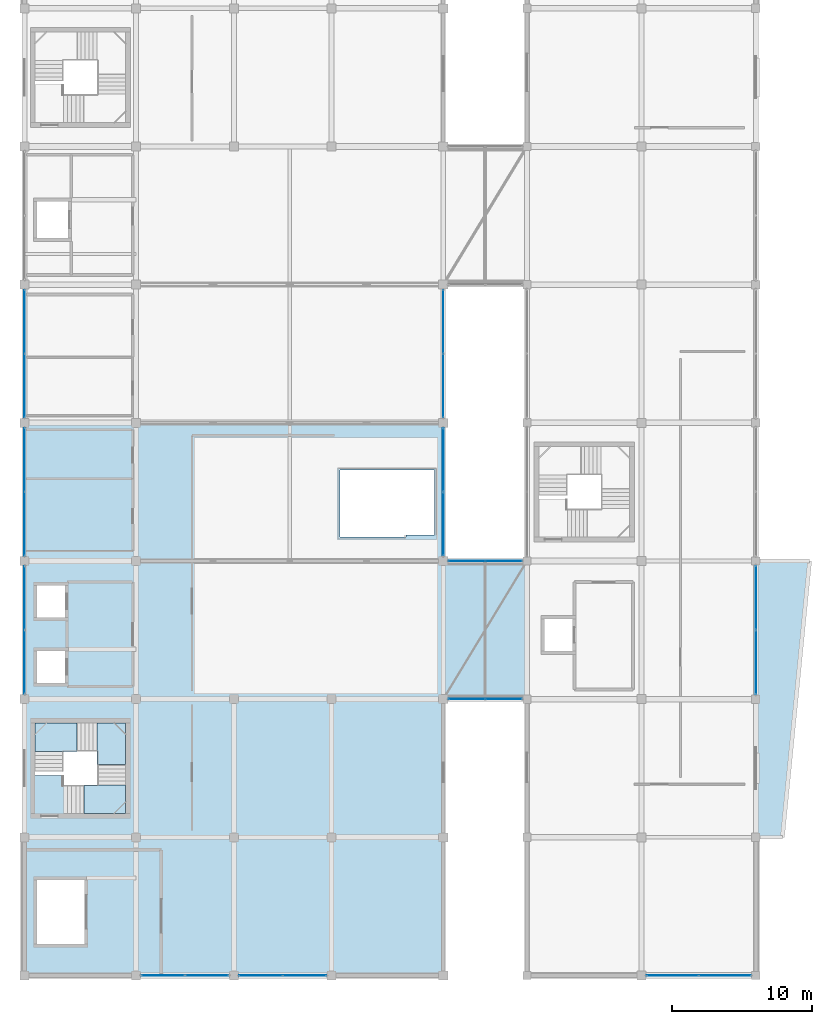
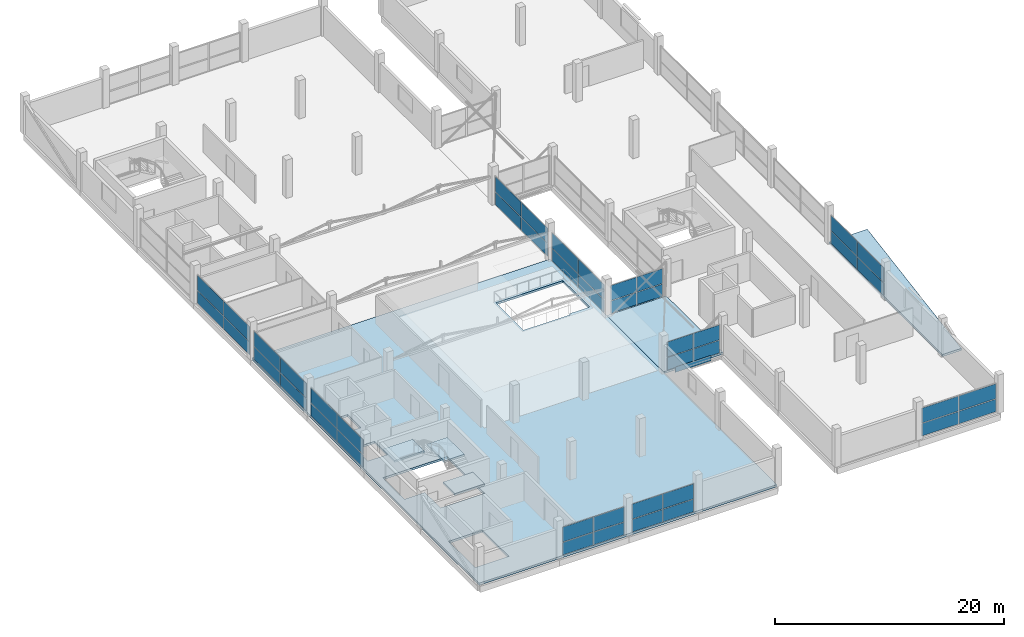
# One storey, part 52 of 66: 46 plates, 6 slabs, 12 elements without a shape of their own.
"""IFC4 building model written with IfcOpenShell, lengths in metres."""

from ifc_helpers import new_model, si_unit, direction, frame, origin, origin_2d, place, context, subcontext, project, spatial, polyline, rectangle, outline, extrude, material, layer, layer_set, type_object, element, aggregate, save


model = new_model("IFC4")

# Units and contexts
model_context = context("Model", 3, precision=1e-05, world=origin(), true_north=direction((0.0, 1.0)))
body_context = subcontext(model_context, "Body", "Model", "MODEL_VIEW")
ifc_project = project(units=[si_unit("LENGTHUNIT", "METRE"), si_unit("AREAUNIT", "SQUARE_METRE"), si_unit("VOLUMEUNIT", "CUBIC_METRE"), si_unit("PLANEANGLEUNIT", "RADIAN"), si_unit("MASSUNIT", "GRAM", prefix="KILO")], contexts=[model_context])

# Site, building, storey
site_placement = place(None, origin())
site = spatial("IfcSite", under=ifc_project, at=site_placement, CompositionType="ELEMENT")
building_placement = place(site_placement, origin())
building = spatial("IfcBuilding", under=site, at=building_placement, Name="Sillaruma Civic Art Gallery", CompositionType="ELEMENT")
storey_placement = place(building_placement, frame((0.0, 0.0, 62.219970703125)))
storey = spatial("IfcBuildingStorey", under=building, at=storey_placement, Name="L12", CompositionType="ELEMENT", Elevation=62.219970703125)

# Plates
ifc_material_1 = material(Name="Anodised Zinc-Aluminium Alloy", Category="aluminium")
ifc_layer_1 = layer(ifc_material_1, 0.044921875, Name="Anodised Zinc-Aluminium Alloy")
ifc_layer_set_1 = layer_set([ifc_layer_1], Name="Anodised Zinc-Aluminium Alloy")
plate_type_1 = type_object("IfcPlateType", Name="PLT-FAS-01", PredefinedType="USERDEFINED", material=ifc_layer_set_1)
for number, where, z_axis, x_axis, name in (
    (1, (95.0, 39.60009765625, -0.469970703125), (0.0, 0.0, 1.0), (1.0, 0.0, 0.0), "Sky-Bridge Fascia Cassette (BRG-S:L12:S)"),
    (2, (95.0, 49.5, -0.469970703125), (0.0, 0.0, 1.0), (1.0, 0.0, 0.0), "Sky-Bridge Fascia Cassette (BRG-S:L12:N)"),
):
    element("IfcPlate", number, at=place(storey_placement, frame(where, z_axis=z_axis, x_axis=x_axis)), inside=storey, type_object=plate_type_1, Name=name, ObjectType="FASCIA CASSETTE", PredefinedType="USERDEFINED", context=body_context, shape_type="SweptSolid", body=[
        extrude(rectangle(XDim=3.60009765625, YDim=0.044921875, at=origin_2d()), origin(), (0.0, 0.0, 1.0), 0.580078125),
    ])

# Curtain wall, plates
ifc_material_2 = material(Name="Thermally Broken Extruded Aluminium 6063-T6", Category="aluminium")
ifc_layer_2 = layer(ifc_material_2, 0.139892578125, Name="Thermally Broken Extruded Aluminium 6063-T6")
ifc_layer_set_2 = layer_set([ifc_layer_2], Name="Thermally Broken Extruded Aluminium 6063-T6")
curtain_wall_type_1 = type_object("IfcCurtainWallType", Name="CW-UNI-93", PredefinedType="NOTDEFINED", material=ifc_layer_set_2)
curtain_wall_1_placement = place(storey_placement, origin())
curtain_wall_1 = element("IfcCurtainWall", 3, at=curtain_wall_1_placement, inside=storey, type_object=curtain_wall_type_1, Name="Unitised Curtain Wall CW-93 (CW-L12-WBW-5)", PredefinedType="NOTDEFINED")
ifc_material_3 = material(Name="Low-E UV-Filtered Laminated Insulating Glass", Category="glass")
ifc_layer_3 = layer(ifc_material_3, 0.028076171875, Name="Low-E UV-Filtered Laminated Insulating Glass")
ifc_layer_set_3 = layer_set([ifc_layer_3], Name="Low-E UV-Filtered Laminated Insulating Glass")
plate_type_2 = type_object("IfcPlateType", Name="PNL-GLZ-28", PredefinedType="CURTAIN_PANEL", material=ifc_layer_set_3)
plate_1_placement = place(storey_placement, frame((62.0, 62.052490234375, 0.06005859375), z_axis=(0.0, 0.0, 1.0), x_axis=(0.0, 1.0, 0.0)))
plate_1 = element("IfcPlate", 4, at=plate_1_placement, type_object=plate_type_2, Name="CW-93 panel 1.1", PredefinedType="CURTAIN_PANEL", context=body_context, shape_type="SweptSolid", body=[
    extrude(rectangle(XDim=4.534912109375, YDim=0.028076171875, at=origin_2d()), origin(), (0.0, 0.0, 1.0), 1.3359375),
])
plate_2_placement = place(storey_placement, frame((62.0, 62.052490234375, 1.4560546875), z_axis=(0.0, 0.0, 1.0), x_axis=(0.0, 1.0, 0.0)))
plate_2 = element("IfcPlate", 5, at=plate_2_placement, type_object=plate_type_2, Name="CW-93 panel 1.2", PredefinedType="CURTAIN_PANEL", context=body_context, shape_type="SweptSolid", body=[
    extrude(rectangle(XDim=4.534912109375, YDim=0.028076171875, at=origin_2d()), origin(), (0.0, 0.0, 1.0), 1.583984375),
])
plate_3_placement = place(storey_placement, frame((62.0, 66.6474609375, 0.06005859375), z_axis=(0.0, 0.0, 1.0), x_axis=(0.0, 1.0, 0.0)))
plate_3 = element("IfcPlate", 6, at=plate_3_placement, type_object=plate_type_2, Name="CW-93 panel 2.1", PredefinedType="CURTAIN_PANEL", context=body_context, shape_type="SweptSolid", body=[
    extrude(rectangle(XDim=4.534912109375, YDim=0.028076171875, at=origin_2d()), origin(), (0.0, 0.0, 1.0), 1.3359375),
])
plate_4_placement = place(storey_placement, frame((62.0, 66.6474609375, 1.4560546875), z_axis=(0.0, 0.0, 1.0), x_axis=(0.0, 1.0, 0.0)))
plate_4 = element("IfcPlate", 7, at=plate_4_placement, type_object=plate_type_2, Name="CW-93 panel 2.2", PredefinedType="CURTAIN_PANEL", context=body_context, shape_type="SweptSolid", body=[
    extrude(rectangle(XDim=4.534912109375, YDim=0.028076171875, at=origin_2d()), origin(), (0.0, 0.0, 1.0), 1.583984375),
])
aggregate(curtain_wall_1, [plate_1, plate_2, plate_3, plate_4])

ifc_layer_4 = layer(ifc_material_2, 0.159912109375, Name="Thermally Broken Extruded Aluminium 6063-T6")
ifc_layer_set_4 = layer_set([ifc_layer_4], Name="Thermally Broken Extruded Aluminium 6063-T6")
curtain_wall_type_2 = type_object("IfcCurtainWallType", Name="CW-UNI-94", PredefinedType="NOTDEFINED", material=ifc_layer_set_4)
curtain_wall_2_placement = place(storey_placement, origin())
curtain_wall_2 = element("IfcCurtainWall", 8, at=curtain_wall_2_placement, inside=storey, type_object=curtain_wall_type_2, Name="Unitised Curtain Wall CW-94 (CW-L12-WBE-5)", PredefinedType="NOTDEFINED")
ifc_layer_5 = layer(ifc_material_3, 0.030029296875, Name="Low-E UV-Filtered Laminated Insulating Glass")
ifc_layer_set_5 = layer_set([ifc_layer_5], Name="Low-E UV-Filtered Laminated Insulating Glass")
plate_type_3 = type_object("IfcPlateType", Name="PNL-GLZ-30", PredefinedType="CURTAIN_PANEL", material=ifc_layer_set_5)
plate_5_placement = place(storey_placement, frame((92.0, 62.0537109375, 0.06005859375), z_axis=(0.0, 0.0, 1.0), x_axis=(0.0, 1.0, 0.0)))
plate_5 = element("IfcPlate", 9, at=plate_5_placement, type_object=plate_type_3, Name="CW-94 panel 1.1", PredefinedType="CURTAIN_PANEL", context=body_context, shape_type="SweptSolid", body=[
    extrude(rectangle(XDim=4.527587890625, YDim=0.030029296875, at=origin_2d()), origin(), (0.0, 0.0, 1.0), 1.3359375),
])
plate_6_placement = place(storey_placement, frame((92.0, 62.0537109375, 1.4560546875), z_axis=(0.0, 0.0, 1.0), x_axis=(0.0, 1.0, 0.0)))
plate_6 = element("IfcPlate", 10, at=plate_6_placement, type_object=plate_type_3, Name="CW-94 panel 1.2", PredefinedType="CURTAIN_PANEL", context=body_context, shape_type="SweptSolid", body=[
    extrude(rectangle(XDim=4.527587890625, YDim=0.030029296875, at=origin_2d()), origin(), (0.0, 0.0, 1.0), 1.583984375),
])
plate_7_placement = place(storey_placement, frame((92.0, 66.646240234375, 0.06005859375), z_axis=(0.0, 0.0, 1.0), x_axis=(0.0, 1.0, 0.0)))
plate_7 = element("IfcPlate", 11, at=plate_7_placement, type_object=plate_type_3, Name="CW-94 panel 2.1", PredefinedType="CURTAIN_PANEL", context=body_context, shape_type="SweptSolid", body=[
    extrude(rectangle(XDim=4.527587890625, YDim=0.030029296875, at=origin_2d()), origin(), (0.0, 0.0, 1.0), 1.3359375),
])
plate_8_placement = place(storey_placement, frame((92.0, 66.646240234375, 1.4560546875), z_axis=(0.0, 0.0, 1.0), x_axis=(0.0, 1.0, 0.0)))
plate_8 = element("IfcPlate", 12, at=plate_8_placement, type_object=plate_type_3, Name="CW-94 panel 2.2", PredefinedType="CURTAIN_PANEL", context=body_context, shape_type="SweptSolid", body=[
    extrude(rectangle(XDim=4.527587890625, YDim=0.030029296875, at=origin_2d()), origin(), (0.0, 0.0, 1.0), 1.583984375),
])
aggregate(curtain_wall_2, [plate_5, plate_6, plate_7, plate_8])

ifc_layer_6 = layer(ifc_material_2, 0.159912109375, Name="Thermally Broken Extruded Aluminium 6063-T6")
ifc_layer_set_6 = layer_set([ifc_layer_6], Name="Thermally Broken Extruded Aluminium 6063-T6")
curtain_wall_type_3 = type_object("IfcCurtainWallType", Name="CW-UNI-97", PredefinedType="NOTDEFINED", material=ifc_layer_set_6)
curtain_wall_3_placement = place(storey_placement, origin())
curtain_wall_3 = element("IfcCurtainWall", 13, at=curtain_wall_3_placement, inside=storey, type_object=curtain_wall_type_3, Name="Unitised Curtain Wall CW-97 (CW-L12-EBE-3)", PredefinedType="NOTDEFINED")
plate_9_placement = place(storey_placement, frame((114.39990234375, 42.2412109375, 0.06005859375), z_axis=(0.0, 0.0, 1.0), x_axis=(0.0, 1.0, 0.0)))
plate_9 = element("IfcPlate", 14, at=plate_9_placement, type_object=plate_type_3, Name="CW-97 panel 1.1", PredefinedType="CURTAIN_PANEL", context=body_context, shape_type="SweptSolid", body=[
    extrude(rectangle(XDim=4.552490234375, YDim=0.030029296875, at=origin_2d()), origin(), (0.0, 0.0, 1.0), 1.3359375),
])
plate_10_placement = place(storey_placement, frame((114.39990234375, 42.2412109375, 1.4560546875), z_axis=(0.0, 0.0, 1.0), x_axis=(0.0, 1.0, 0.0)))
plate_10 = element("IfcPlate", 15, at=plate_10_placement, type_object=plate_type_3, Name="CW-97 panel 1.2", PredefinedType="CURTAIN_PANEL", context=body_context, shape_type="SweptSolid", body=[
    extrude(rectangle(XDim=4.552490234375, YDim=0.030029296875, at=origin_2d()), origin(), (0.0, 0.0, 1.0), 1.583984375),
])
plate_11_placement = place(storey_placement, frame((114.39990234375, 46.858642578125, 0.06005859375), z_axis=(0.0, 0.0, 1.0), x_axis=(0.0, 1.0, 0.0)))
plate_11 = element("IfcPlate", 16, at=plate_11_placement, type_object=plate_type_3, Name="CW-97 panel 2.1", PredefinedType="CURTAIN_PANEL", context=body_context, shape_type="SweptSolid", body=[
    extrude(rectangle(XDim=4.552490234375, YDim=0.030029296875, at=origin_2d()), origin(), (0.0, 0.0, 1.0), 1.3359375),
])
plate_12_placement = place(storey_placement, frame((114.39990234375, 46.858642578125, 1.4560546875), z_axis=(0.0, 0.0, 1.0), x_axis=(0.0, 1.0, 0.0)))
plate_12 = element("IfcPlate", 17, at=plate_12_placement, type_object=plate_type_3, Name="CW-97 panel 2.2", PredefinedType="CURTAIN_PANEL", context=body_context, shape_type="SweptSolid", body=[
    extrude(rectangle(XDim=4.552490234375, YDim=0.030029296875, at=origin_2d()), origin(), (0.0, 0.0, 1.0), 1.583984375),
])
aggregate(curtain_wall_3, [plate_9, plate_10, plate_11, plate_12])

# Curtain wall, plate
ifc_layer_7 = layer(ifc_material_2, 0.159912109375, Name="Thermally Broken Extruded Aluminium 6063-T6")
ifc_layer_set_7 = layer_set([ifc_layer_7], Name="Thermally Broken Extruded Aluminium 6063-T6")
curtain_wall_type_4 = type_object("IfcCurtainWallType", Name="CW-UNI-104", PredefinedType="NOTDEFINED", material=ifc_layer_set_7)
curtain_wall_4_placement = place(storey_placement, origin())
curtain_wall_4 = element("IfcCurtainWall", 18, at=curtain_wall_4_placement, inside=storey, type_object=curtain_wall_type_4, Name="Unitised Curtain Wall CW-104 (CW-BRG-S-L12-S)", PredefinedType="NOTDEFINED")
plate_13_placement = place(storey_placement, frame((96.340087890625, 39.60009765625, 0.06005859375), z_axis=(0.0, 0.0, 1.0), x_axis=(1.0, 0.0, 0.0)))
plate_13 = element("IfcPlate", 19, at=plate_13_placement, type_object=plate_type_3, Name="CW-104 panel 2.1", PredefinedType="CURTAIN_PANEL", context=body_context, shape_type="SweptSolid", body=[
    extrude(rectangle(XDim=2.590087890625, YDim=0.030029296875, at=origin_2d()), origin(), (0.0, 0.0, 1.0), 1.3359375),
])

curtain_wall_5_placement = place(storey_placement, origin())
curtain_wall_5 = element("IfcCurtainWall", 20, at=curtain_wall_5_placement, inside=storey, type_object=curtain_wall_type_4, Name="Unitised Curtain Wall CW-104 (CW-BRG-S-L12-N)", PredefinedType="NOTDEFINED")
plate_14_placement = place(storey_placement, frame((96.340087890625, 49.5, 0.06005859375), z_axis=(0.0, 0.0, 1.0), x_axis=(1.0, 0.0, 0.0)))
plate_14 = element("IfcPlate", 21, at=plate_14_placement, type_object=plate_type_3, Name="CW-104 panel 2.1", PredefinedType="CURTAIN_PANEL", context=body_context, shape_type="SweptSolid", body=[
    extrude(rectangle(XDim=2.590087890625, YDim=0.030029296875, at=origin_2d()), origin(), (0.0, 0.0, 1.0), 1.3359375),
])

# Curtain wall, plates
ifc_layer_8 = layer(ifc_material_2, 0.159912109375, Name="Thermally Broken Extruded Aluminium 6063-T6")
ifc_layer_set_8 = layer_set([ifc_layer_8], Name="Thermally Broken Extruded Aluminium 6063-T6")
curtain_wall_type_5 = type_object("IfcCurtainWallType", Name="CW-UNI-91", PredefinedType="NOTDEFINED", material=ifc_layer_set_8)
curtain_wall_6_placement = place(storey_placement, origin())
curtain_wall_6 = element("IfcCurtainWall", 22, at=curtain_wall_6_placement, inside=storey, type_object=curtain_wall_type_5, Name="Unitised Curtain Wall CW-91 (CW-L12-WBW-4)", PredefinedType="NOTDEFINED")
ifc_layer_9 = layer(ifc_material_3, 0.031982421875, Name="Low-E UV-Filtered Laminated Insulating Glass")
ifc_layer_set_9 = layer_set([ifc_layer_9], Name="Low-E UV-Filtered Laminated Insulating Glass")
plate_type_4 = type_object("IfcPlateType", Name="PNL-GLZ-32", PredefinedType="CURTAIN_PANEL", material=ifc_layer_set_9)
plate_15_placement = place(storey_placement, frame((62.0, 52.15380859375, 0.06494140625), z_axis=(0.0, 0.0, 1.0), x_axis=(0.0, 1.0, 0.0)))
plate_15 = element("IfcPlate", 23, at=plate_15_placement, type_object=plate_type_4, Name="CW-91 panel 1.1", PredefinedType="CURTAIN_PANEL", context=body_context, shape_type="SweptSolid", body=[
    extrude(rectangle(XDim=4.527587890625, YDim=0.031982421875, at=origin_2d()), origin(), (0.0, 0.0, 1.0), 1.32861328125),
])
plate_16_placement = place(storey_placement, frame((62.0, 52.15380859375, 1.45849609375), z_axis=(0.0, 0.0, 1.0), x_axis=(0.0, 1.0, 0.0)))
plate_16 = element("IfcPlate", 24, at=plate_16_placement, type_object=plate_type_4, Name="CW-91 panel 1.2", PredefinedType="CURTAIN_PANEL", context=body_context, shape_type="SweptSolid", body=[
    extrude(rectangle(XDim=4.527587890625, YDim=0.031982421875, at=origin_2d()), origin(), (0.0, 0.0, 1.0), 1.576416015625),
])
plate_17_placement = place(storey_placement, frame((62.0, 56.746337890625, 0.06494140625), z_axis=(0.0, 0.0, 1.0), x_axis=(0.0, 1.0, 0.0)))
plate_17 = element("IfcPlate", 25, at=plate_17_placement, type_object=plate_type_4, Name="CW-91 panel 2.1", PredefinedType="CURTAIN_PANEL", context=body_context, shape_type="SweptSolid", body=[
    extrude(rectangle(XDim=4.527587890625, YDim=0.031982421875, at=origin_2d()), origin(), (0.0, 0.0, 1.0), 1.32861328125),
])
plate_18_placement = place(storey_placement, frame((62.0, 56.746337890625, 1.45849609375), z_axis=(0.0, 0.0, 1.0), x_axis=(0.0, 1.0, 0.0)))
plate_18 = element("IfcPlate", 26, at=plate_18_placement, type_object=plate_type_4, Name="CW-91 panel 2.2", PredefinedType="CURTAIN_PANEL", context=body_context, shape_type="SweptSolid", body=[
    extrude(rectangle(XDim=4.527587890625, YDim=0.031982421875, at=origin_2d()), origin(), (0.0, 0.0, 1.0), 1.576416015625),
])
aggregate(curtain_wall_6, [plate_15, plate_16, plate_17, plate_18])

ifc_layer_10 = layer(ifc_material_2, 0.159912109375, Name="Thermally Broken Extruded Aluminium 6063-T6")
ifc_layer_set_10 = layer_set([ifc_layer_10], Name="Thermally Broken Extruded Aluminium 6063-T6")
curtain_wall_type_6 = type_object("IfcCurtainWallType", Name="CW-UNI-96", PredefinedType="NOTDEFINED", material=ifc_layer_set_10)
curtain_wall_7_placement = place(storey_placement, origin())
curtain_wall_7 = element("IfcCurtainWall", 27, at=curtain_wall_7_placement, inside=storey, type_object=curtain_wall_type_6, Name="Unitised Curtain Wall CW-96 (CW-L12-WBS-3)", PredefinedType="NOTDEFINED")
plate_19_placement = place(storey_placement, frame((78.9287109375, 19.800048828125, 0.06494140625), z_axis=(0.0, 0.0, 1.0), x_axis=(1.0, 0.0, 0.0)))
plate_19 = element("IfcPlate", 28, at=plate_19_placement, type_object=plate_type_4, Name="CW-96 panel 1.1", PredefinedType="CURTAIN_PANEL", context=body_context, shape_type="SweptSolid", body=[
    extrude(rectangle(XDim=3.077392578125, YDim=0.031982421875, at=origin_2d()), origin(), (0.0, 0.0, 1.0), 1.32861328125),
])
plate_20_placement = place(storey_placement, frame((78.9287109375, 19.800048828125, 1.45849609375), z_axis=(0.0, 0.0, 1.0), x_axis=(1.0, 0.0, 0.0)))
plate_20 = element("IfcPlate", 29, at=plate_20_placement, type_object=plate_type_4, Name="CW-96 panel 1.2", PredefinedType="CURTAIN_PANEL", context=body_context, shape_type="SweptSolid", body=[
    extrude(rectangle(XDim=3.077392578125, YDim=0.031982421875, at=origin_2d()), origin(), (0.0, 0.0, 1.0), 1.576416015625),
])
plate_21_placement = place(storey_placement, frame((82.0712890625, 19.800048828125, 0.06494140625), z_axis=(0.0, 0.0, 1.0), x_axis=(1.0, 0.0, 0.0)))
plate_21 = element("IfcPlate", 30, at=plate_21_placement, type_object=plate_type_4, Name="CW-96 panel 2.1", PredefinedType="CURTAIN_PANEL", context=body_context, shape_type="SweptSolid", body=[
    extrude(rectangle(XDim=3.077392578125, YDim=0.031982421875, at=origin_2d()), origin(), (0.0, 0.0, 1.0), 1.32861328125),
])
plate_22_placement = place(storey_placement, frame((82.0712890625, 19.800048828125, 1.45849609375), z_axis=(0.0, 0.0, 1.0), x_axis=(1.0, 0.0, 0.0)))
plate_22 = element("IfcPlate", 31, at=plate_22_placement, type_object=plate_type_4, Name="CW-96 panel 2.2", PredefinedType="CURTAIN_PANEL", context=body_context, shape_type="SweptSolid", body=[
    extrude(rectangle(XDim=3.077392578125, YDim=0.031982421875, at=origin_2d()), origin(), (0.0, 0.0, 1.0), 1.576416015625),
])
aggregate(curtain_wall_7, [plate_19, plate_20, plate_21, plate_22])

ifc_layer_11 = layer(ifc_material_2, 0.159912109375, Name="Thermally Broken Extruded Aluminium 6063-T6")
ifc_layer_set_11 = layer_set([ifc_layer_11], Name="Thermally Broken Extruded Aluminium 6063-T6")
curtain_wall_type_7 = type_object("IfcCurtainWallType", Name="CW-UNI-103", PredefinedType="NOTDEFINED", material=ifc_layer_set_11)
curtain_wall_8_placement = place(storey_placement, origin())
curtain_wall_8 = element("IfcCurtainWall", 32, at=curtain_wall_8_placement, inside=storey, type_object=curtain_wall_type_7, Name="Unitised Curtain Wall CW-103 (CW-L12-EBS-2)", PredefinedType="NOTDEFINED")
plate_23_placement = place(storey_placement, frame((108.43505859375, 19.800048828125, 0.06494140625), z_axis=(0.0, 0.0, 1.0), x_axis=(1.0, 0.0, 0.0)))
plate_23 = element("IfcPlate", 33, at=plate_23_placement, type_object=plate_type_4, Name="CW-103 panel 1.1", PredefinedType="CURTAIN_PANEL", context=body_context, shape_type="SweptSolid", body=[
    extrude(rectangle(XDim=3.68994140625, YDim=0.031982421875, at=origin_2d()), origin(), (0.0, 0.0, 1.0), 1.32861328125),
])
plate_24_placement = place(storey_placement, frame((108.43505859375, 19.800048828125, 1.45849609375), z_axis=(0.0, 0.0, 1.0), x_axis=(1.0, 0.0, 0.0)))
plate_24 = element("IfcPlate", 34, at=plate_24_placement, type_object=plate_type_4, Name="CW-103 panel 1.2", PredefinedType="CURTAIN_PANEL", context=body_context, shape_type="SweptSolid", body=[
    extrude(rectangle(XDim=3.68994140625, YDim=0.031982421875, at=origin_2d()), origin(), (0.0, 0.0, 1.0), 1.576416015625),
])
plate_25_placement = place(storey_placement, frame((112.18994140625, 19.800048828125, 0.06494140625), z_axis=(0.0, 0.0, 1.0), x_axis=(1.0, 0.0, 0.0)))
plate_25 = element("IfcPlate", 35, at=plate_25_placement, type_object=plate_type_4, Name="CW-103 panel 2.1", PredefinedType="CURTAIN_PANEL", context=body_context, shape_type="SweptSolid", body=[
    extrude(rectangle(XDim=3.68994140625, YDim=0.031982421875, at=origin_2d()), origin(), (0.0, 0.0, 1.0), 1.32861328125),
])
plate_26_placement = place(storey_placement, frame((112.18994140625, 19.800048828125, 1.45849609375), z_axis=(0.0, 0.0, 1.0), x_axis=(1.0, 0.0, 0.0)))
plate_26 = element("IfcPlate", 36, at=plate_26_placement, type_object=plate_type_4, Name="CW-103 panel 2.2", PredefinedType="CURTAIN_PANEL", context=body_context, shape_type="SweptSolid", body=[
    extrude(rectangle(XDim=3.68994140625, YDim=0.031982421875, at=origin_2d()), origin(), (0.0, 0.0, 1.0), 1.576416015625),
])
aggregate(curtain_wall_8, [plate_23, plate_24, plate_25, plate_26])

ifc_layer_12 = layer(ifc_material_2, 0.179931640625, Name="Thermally Broken Extruded Aluminium 6063-T6")
ifc_layer_set_12 = layer_set([ifc_layer_12], Name="Thermally Broken Extruded Aluminium 6063-T6")
curtain_wall_type_8 = type_object("IfcCurtainWallType", Name="CW-UNI-90", PredefinedType="NOTDEFINED", material=ifc_layer_set_12)
curtain_wall_9_placement = place(storey_placement, origin())
curtain_wall_9 = element("IfcCurtainWall", 37, at=curtain_wall_9_placement, inside=storey, type_object=curtain_wall_type_8, Name="Unitised Curtain Wall CW-90 (CW-L12-WBW-3)", PredefinedType="NOTDEFINED")
ifc_layer_13 = layer(ifc_material_3, 0.035888671875, Name="Low-E UV-Filtered Laminated Insulating Glass")
ifc_layer_set_13 = layer_set([ifc_layer_13], Name="Low-E UV-Filtered Laminated Insulating Glass")
plate_type_5 = type_object("IfcPlateType", Name="PNL-GLZ-36", PredefinedType="CURTAIN_PANEL", material=ifc_layer_set_13)
plate_27_placement = place(storey_placement, frame((62.0, 42.2548828125, 0.06982421875), z_axis=(0.0, 0.0, 1.0), x_axis=(0.0, 1.0, 0.0)))
plate_27 = element("IfcPlate", 38, at=plate_27_placement, type_object=plate_type_5, Name="CW-90 panel 1.1", PredefinedType="CURTAIN_PANEL", context=body_context, shape_type="SweptSolid", body=[
    extrude(rectangle(XDim=4.52001953125, YDim=0.035888671875, at=origin_2d()), origin(), (0.0, 0.0, 1.0), 1.321044921875),
])
plate_28_placement = place(storey_placement, frame((62.0, 42.2548828125, 1.4609375), z_axis=(0.0, 0.0, 1.0), x_axis=(0.0, 1.0, 0.0)))
plate_28 = element("IfcPlate", 39, at=plate_28_placement, type_object=plate_type_5, Name="CW-90 panel 1.2", PredefinedType="CURTAIN_PANEL", context=body_context, shape_type="SweptSolid", body=[
    extrude(rectangle(XDim=4.52001953125, YDim=0.035888671875, at=origin_2d()), origin(), (0.0, 0.0, 1.0), 1.569091796875),
])
plate_29_placement = place(storey_placement, frame((62.0, 46.844970703125, 0.06982421875), z_axis=(0.0, 0.0, 1.0), x_axis=(0.0, 1.0, 0.0)))
plate_29 = element("IfcPlate", 40, at=plate_29_placement, type_object=plate_type_5, Name="CW-90 panel 2.1", PredefinedType="CURTAIN_PANEL", context=body_context, shape_type="SweptSolid", body=[
    extrude(rectangle(XDim=4.52001953125, YDim=0.035888671875, at=origin_2d()), origin(), (0.0, 0.0, 1.0), 1.321044921875),
])
plate_30_placement = place(storey_placement, frame((62.0, 46.844970703125, 1.4609375), z_axis=(0.0, 0.0, 1.0), x_axis=(0.0, 1.0, 0.0)))
plate_30 = element("IfcPlate", 41, at=plate_30_placement, type_object=plate_type_5, Name="CW-90 panel 2.2", PredefinedType="CURTAIN_PANEL", context=body_context, shape_type="SweptSolid", body=[
    extrude(rectangle(XDim=4.52001953125, YDim=0.035888671875, at=origin_2d()), origin(), (0.0, 0.0, 1.0), 1.569091796875),
])
aggregate(curtain_wall_9, [plate_27, plate_28, plate_29, plate_30])

ifc_layer_14 = layer(ifc_material_2, 0.179931640625, Name="Thermally Broken Extruded Aluminium 6063-T6")
ifc_layer_set_14 = layer_set([ifc_layer_14], Name="Thermally Broken Extruded Aluminium 6063-T6")
curtain_wall_type_9 = type_object("IfcCurtainWallType", Name="CW-UNI-95", PredefinedType="NOTDEFINED", material=ifc_layer_set_14)
curtain_wall_10_placement = place(storey_placement, origin())
curtain_wall_10 = element("IfcCurtainWall", 42, at=curtain_wall_10_placement, inside=storey, type_object=curtain_wall_type_9, Name="Unitised Curtain Wall CW-95 (CW-L12-WBS-2)", PredefinedType="NOTDEFINED")
plate_31_placement = place(storey_placement, frame((71.929931640625, 19.800048828125, 0.06982421875), z_axis=(0.0, 0.0, 1.0), x_axis=(1.0, 0.0, 0.0)))
plate_31 = element("IfcPlate", 43, at=plate_31_placement, type_object=plate_type_5, Name="CW-95 panel 1.1", PredefinedType="CURTAIN_PANEL", context=body_context, shape_type="SweptSolid", body=[
    extrude(rectangle(XDim=3.070068359375, YDim=0.035888671875, at=origin_2d()), origin(), (0.0, 0.0, 1.0), 1.321044921875),
])
plate_32_placement = place(storey_placement, frame((71.929931640625, 19.800048828125, 1.4609375), z_axis=(0.0, 0.0, 1.0), x_axis=(1.0, 0.0, 0.0)))
plate_32 = element("IfcPlate", 44, at=plate_32_placement, type_object=plate_type_5, Name="CW-95 panel 1.2", PredefinedType="CURTAIN_PANEL", context=body_context, shape_type="SweptSolid", body=[
    extrude(rectangle(XDim=3.070068359375, YDim=0.035888671875, at=origin_2d()), origin(), (0.0, 0.0, 1.0), 1.569091796875),
])
plate_33_placement = place(storey_placement, frame((75.070068359375, 19.800048828125, 0.06982421875), z_axis=(0.0, 0.0, 1.0), x_axis=(1.0, 0.0, 0.0)))
plate_33 = element("IfcPlate", 45, at=plate_33_placement, type_object=plate_type_5, Name="CW-95 panel 2.1", PredefinedType="CURTAIN_PANEL", context=body_context, shape_type="SweptSolid", body=[
    extrude(rectangle(XDim=3.070068359375, YDim=0.035888671875, at=origin_2d()), origin(), (0.0, 0.0, 1.0), 1.321044921875),
])
plate_34_placement = place(storey_placement, frame((75.070068359375, 19.800048828125, 1.4609375), z_axis=(0.0, 0.0, 1.0), x_axis=(1.0, 0.0, 0.0)))
plate_34 = element("IfcPlate", 46, at=plate_34_placement, type_object=plate_type_5, Name="CW-95 panel 2.2", PredefinedType="CURTAIN_PANEL", context=body_context, shape_type="SweptSolid", body=[
    extrude(rectangle(XDim=3.070068359375, YDim=0.035888671875, at=origin_2d()), origin(), (0.0, 0.0, 1.0), 1.569091796875),
])
aggregate(curtain_wall_10, [plate_31, plate_32, plate_33, plate_34])

ifc_layer_15 = layer(ifc_material_2, 0.179931640625, Name="Thermally Broken Extruded Aluminium 6063-T6")
ifc_layer_set_15 = layer_set([ifc_layer_15], Name="Thermally Broken Extruded Aluminium 6063-T6")
curtain_wall_type_10 = type_object("IfcCurtainWallType", Name="CW-UNI-92", PredefinedType="NOTDEFINED", material=ifc_layer_set_15)
curtain_wall_11_placement = place(storey_placement, origin())
curtain_wall_11 = element("IfcCurtainWall", 47, at=curtain_wall_11_placement, inside=storey, type_object=curtain_wall_type_10, Name="Unitised Curtain Wall CW-92 (CW-L12-WBE-4)", PredefinedType="NOTDEFINED")
ifc_layer_16 = layer(ifc_material_3, 0.0400390625, Name="Low-E UV-Filtered Laminated Insulating Glass")
ifc_layer_set_16 = layer_set([ifc_layer_16], Name="Low-E UV-Filtered Laminated Insulating Glass")
plate_type_6 = type_object("IfcPlateType", Name="PNL-GLZ-40", PredefinedType="CURTAIN_PANEL", material=ifc_layer_set_16)
plate_35_placement = place(storey_placement, frame((92.0, 52.155029296875, 0.06494140625), z_axis=(0.0, 0.0, 1.0), x_axis=(0.0, 1.0, 0.0)))
plate_35 = element("IfcPlate", 48, at=plate_35_placement, type_object=plate_type_6, Name="CW-92 panel 1.1", PredefinedType="CURTAIN_PANEL", context=body_context, shape_type="SweptSolid", body=[
    extrude(rectangle(XDim=4.52001953125, YDim=0.0400390625, at=origin_2d()), origin(), (0.0, 0.0, 1.0), 1.32861328125),
])
plate_36_placement = place(storey_placement, frame((92.0, 52.155029296875, 1.45849609375), z_axis=(0.0, 0.0, 1.0), x_axis=(0.0, 1.0, 0.0)))
plate_36 = element("IfcPlate", 49, at=plate_36_placement, type_object=plate_type_6, Name="CW-92 panel 1.2", PredefinedType="CURTAIN_PANEL", context=body_context, shape_type="SweptSolid", body=[
    extrude(rectangle(XDim=4.52001953125, YDim=0.0400390625, at=origin_2d()), origin(), (0.0, 0.0, 1.0), 1.576416015625),
])
plate_37_placement = place(storey_placement, frame((92.0, 56.7451171875, 0.06494140625), z_axis=(0.0, 0.0, 1.0), x_axis=(0.0, 1.0, 0.0)))
plate_37 = element("IfcPlate", 50, at=plate_37_placement, type_object=plate_type_6, Name="CW-92 panel 2.1", PredefinedType="CURTAIN_PANEL", context=body_context, shape_type="SweptSolid", body=[
    extrude(rectangle(XDim=4.52001953125, YDim=0.0400390625, at=origin_2d()), origin(), (0.0, 0.0, 1.0), 1.32861328125),
])
plate_38_placement = place(storey_placement, frame((92.0, 56.7451171875, 1.45849609375), z_axis=(0.0, 0.0, 1.0), x_axis=(0.0, 1.0, 0.0)))
plate_38 = element("IfcPlate", 51, at=plate_38_placement, type_object=plate_type_6, Name="CW-92 panel 2.2", PredefinedType="CURTAIN_PANEL", context=body_context, shape_type="SweptSolid", body=[
    extrude(rectangle(XDim=4.52001953125, YDim=0.0400390625, at=origin_2d()), origin(), (0.0, 0.0, 1.0), 1.576416015625),
])
aggregate(curtain_wall_11, [plate_35, plate_36, plate_37, plate_38])

# Plate
ifc_layer_17 = layer(ifc_material_1, 0.030029296875, Name="Anodised Zinc-Aluminium Alloy")
ifc_layer_set_17 = layer_set([ifc_layer_17], Name="Anodised Zinc-Aluminium Alloy")
plate_type_7 = type_object("IfcPlateType", Name="PNL-SPD-30", PredefinedType="CURTAIN_PANEL", material=ifc_layer_set_17)
plate_39_placement = place(storey_placement, frame((93.68505859375, 39.60009765625, 0.06005859375), z_axis=(0.0, 0.0, 1.0), x_axis=(1.0, 0.0, 0.0)))
plate_39 = element("IfcPlate", 52, at=plate_39_placement, type_object=plate_type_7, Name="CW-104 panel 1.1", PredefinedType="CURTAIN_PANEL", context=body_context, shape_type="SweptSolid", body=[
    extrude(rectangle(XDim=2.590087890625, YDim=0.030029296875, at=origin_2d()), origin(), (0.0, 0.0, 1.0), 1.3359375),
])

plate_40_placement = place(storey_placement, frame((93.68505859375, 39.60009765625, 1.4560546875), z_axis=(0.0, 0.0, 1.0), x_axis=(1.0, 0.0, 0.0)))
plate_40 = element("IfcPlate", 53, at=plate_40_placement, type_object=plate_type_7, Name="CW-104 panel 1.2", PredefinedType="CURTAIN_PANEL", context=body_context, shape_type="SweptSolid", body=[
    extrude(rectangle(XDim=2.590087890625, YDim=0.030029296875, at=origin_2d()), origin(), (0.0, 0.0, 1.0), 1.583984375),
])

plate_41_placement = place(storey_placement, frame((96.340087890625, 39.60009765625, 1.4560546875), z_axis=(0.0, 0.0, 1.0), x_axis=(1.0, 0.0, 0.0)))
plate_41 = element("IfcPlate", 54, at=plate_41_placement, type_object=plate_type_7, Name="CW-104 panel 2.2", PredefinedType="CURTAIN_PANEL", context=body_context, shape_type="SweptSolid", body=[
    extrude(rectangle(XDim=2.590087890625, YDim=0.030029296875, at=origin_2d()), origin(), (0.0, 0.0, 1.0), 1.583984375),
])

aggregate(curtain_wall_4, [plate_39, plate_40, plate_13, plate_41])

plate_42_placement = place(storey_placement, frame((93.68505859375, 49.5, 0.06005859375), z_axis=(0.0, 0.0, 1.0), x_axis=(1.0, 0.0, 0.0)))
plate_42 = element("IfcPlate", 55, at=plate_42_placement, type_object=plate_type_7, Name="CW-104 panel 1.1", PredefinedType="CURTAIN_PANEL", context=body_context, shape_type="SweptSolid", body=[
    extrude(rectangle(XDim=2.590087890625, YDim=0.030029296875, at=origin_2d()), origin(), (0.0, 0.0, 1.0), 1.3359375),
])

plate_43_placement = place(storey_placement, frame((93.68505859375, 49.5, 1.4560546875), z_axis=(0.0, 0.0, 1.0), x_axis=(1.0, 0.0, 0.0)))
plate_43 = element("IfcPlate", 56, at=plate_43_placement, type_object=plate_type_7, Name="CW-104 panel 1.2", PredefinedType="CURTAIN_PANEL", context=body_context, shape_type="SweptSolid", body=[
    extrude(rectangle(XDim=2.590087890625, YDim=0.030029296875, at=origin_2d()), origin(), (0.0, 0.0, 1.0), 1.583984375),
])

plate_44_placement = place(storey_placement, frame((96.340087890625, 49.5, 1.4560546875), z_axis=(0.0, 0.0, 1.0), x_axis=(1.0, 0.0, 0.0)))
plate_44 = element("IfcPlate", 57, at=plate_44_placement, type_object=plate_type_7, Name="CW-104 panel 2.2", PredefinedType="CURTAIN_PANEL", context=body_context, shape_type="SweptSolid", body=[
    extrude(rectangle(XDim=2.590087890625, YDim=0.030029296875, at=origin_2d()), origin(), (0.0, 0.0, 1.0), 1.583984375),
])

aggregate(curtain_wall_5, [plate_42, plate_43, plate_14, plate_44])

# Slabs
ifc_material_4 = material(Name="Concrete H35 (35 MPa)", Category="concrete")
ifc_layer_18 = layer(ifc_material_4, 0.2099609375, Name="Concrete H35 (35 MPa)")
ifc_layer_set_18 = layer_set([ifc_layer_18], Name="Concrete H35 (35 MPa)")
slab_type_1 = type_object("IfcSlabType", Name="SLB-FLR-210", PredefinedType="FLOOR", material=ifc_layer_set_18)
slab_1_placement = place(storey_placement, frame((0.0, 0.0, -0.2099609375)))
element("IfcSlab", 58, at=slab_1_placement, inside=storey, type_object=slab_type_1, Name="Floor Slab SF-210 (SLB-L12-BRGS)", PredefinedType="FLOOR", context=body_context, shape_type="SweptSolid", body=[
    extrude(outline(polyline([(92.0, 39.60009765625), (98.0, 39.60009765625), (98.0, 49.5), (92.0, 49.5), (92.0, 39.60009765625)])), origin(), (0.0, 0.0, 1.0), 0.2099609375),
])
ifc_layer_19 = layer(ifc_material_4, 0.22998046875, Name="Concrete H35 (35 MPa)")
ifc_layer_set_19 = layer_set([ifc_layer_19], Name="Concrete H35 (35 MPa)")
slab_type_2 = type_object("IfcSlabType", Name="SLB-FLR-230", PredefinedType="FLOOR", material=ifc_layer_set_19)
slab_2_placement = place(storey_placement, frame((0.0, 0.0, -0.22998046875)))
element("IfcSlab", 59, at=slab_2_placement, inside=storey, type_object=slab_type_2, Name="Floor Slab SF-230 (SLB-L12-WESTS)", PredefinedType="FLOOR", context=body_context, shape_type="SweptSolid", body=[
    extrude(outline(polyline([(62.0, 19.800048828125), (92.0, 19.800048828125), (92.0, 59.39990234375), (62.0, 59.39990234375), (62.0, 19.800048828125)]), holes=[polyline([(64.81494140625, 31.409912109375), (69.239990234375, 31.409912109375), (69.239990234375, 37.889892578125), (62.760009765625, 37.889892578125), (62.760009765625, 34.125), (64.81494140625, 34.125), (64.81494140625, 31.409912109375)]), polyline([(84.60009765625, 51.199951171875), (89.320068359375, 51.199951171875), (89.320068359375, 51.364990234375), (91.360107421875, 51.364990234375), (91.360107421875, 56.0), (84.60009765625, 56.0), (84.60009765625, 51.199951171875)]), polyline([(62.89990234375, 40.75), (64.89990234375, 40.75), (64.89990234375, 43.050048828125), (62.89990234375, 43.050048828125), (62.89990234375, 40.75)]), polyline([(62.89990234375, 45.449951171875), (64.89990234375, 45.449951171875), (64.89990234375, 47.75), (62.89990234375, 47.75), (62.89990234375, 45.449951171875)]), polyline([(62.89990234375, 22.050048828125), (66.300048828125, 22.050048828125), (66.300048828125, 26.64990234375), (62.89990234375, 26.64990234375), (62.89990234375, 22.050048828125)])]), origin(), (0.0, 0.0, 1.0), 0.22998046875),
])

# Stair, slabs
stair_type = type_object("IfcStairType", Name="STR-4F-24", PredefinedType="USERDEFINED", material=ifc_material_4)
stair_placement = place(storey_placement, origin())
stair = element("IfcStair", 60, at=stair_placement, inside=storey, type_object=stair_type, Name="Protected Exit Stair ST-03 (West Bar South) (L12)", ObjectType="THREE_RETURN_STAIR", PredefinedType="USERDEFINED")
ifc_layer_20 = layer(ifc_material_4, 0.199951171875, Name="Concrete H35 (35 MPa)")
ifc_layer_set_20 = layer_set([ifc_layer_20], Name="Concrete H35 (35 MPa)")
slab_type_3 = type_object("IfcSlabType", Name="SLB-LND-200", PredefinedType="LANDING", material=ifc_layer_set_20)
slab_3_placement = place(storey_placement, frame((0.0, 0.0, 0.820068359375)))
slab_3 = element("IfcSlab", 61, at=slab_3_placement, type_object=slab_type_3, Name="ST-03 landing 1", PredefinedType="LANDING", context=body_context, shape_type="SweptSolid", body=[
    extrude(outline(polyline([(66.25, 31.409912109375), (69.239990234375, 31.409912109375), (69.239990234375, 33.449951171875), (66.25, 33.449951171875), (66.25, 31.409912109375)])), origin(), (0.0, 0.0, 1.0), 0.199951171875),
])
slab_4_placement = place(storey_placement, frame((0.0, 0.0, 1.840087890625)))
slab_4 = element("IfcSlab", 62, at=slab_4_placement, type_object=slab_type_3, Name="ST-03 landing 2", PredefinedType="LANDING", context=body_context, shape_type="SweptSolid", body=[
    extrude(outline(polyline([(67.199951171875, 34.89990234375), (69.239990234375, 34.89990234375), (69.239990234375, 37.889892578125), (67.199951171875, 37.889892578125), (67.199951171875, 34.89990234375)])), origin(), (0.0, 0.0, 1.0), 0.199951171875),
])
slab_5_placement = place(storey_placement, frame((0.0, 0.0, 2.860107421875)))
slab_5 = element("IfcSlab", 63, at=slab_5_placement, type_object=slab_type_3, Name="ST-03 landing 3", PredefinedType="LANDING", context=body_context, shape_type="SweptSolid", body=[
    extrude(outline(polyline([(62.760009765625, 35.85009765625), (65.75, 35.85009765625), (65.75, 37.889892578125), (62.760009765625, 37.889892578125), (62.760009765625, 35.85009765625)])), origin(), (0.0, 0.0, 1.0), 0.199951171875),
])
aggregate(stair, [slab_3, slab_4, slab_5])

# Slab
ifc_layer_21 = layer(ifc_material_4, 0.22998046875, Name="Concrete H35 (35 MPa)")
ifc_layer_set_21 = layer_set([ifc_layer_21], Name="Concrete H35 (35 MPa)")
slab_type_4 = type_object("IfcSlabType", Name="SLB-ROOF-230", PredefinedType="ROOF", material=ifc_layer_set_21)
slab_6_placement = place(storey_placement, frame((0.0, 0.0, -0.22998046875)))
element("IfcSlab", 64, at=slab_6_placement, inside=storey, type_object=slab_type_4, Name="Roof Slab SR-230 (ROOF-L12-PRWE)", PredefinedType="ROOF", context=body_context, shape_type="SweptSolid", body=[
    extrude(outline(polyline([(114.39990234375, 29.699951171875), (116.300048828125, 29.699951171875), (118.25, 49.5), (114.39990234375, 49.5), (114.39990234375, 29.699951171875)])), origin(), (0.0, 0.0, 1.0), 0.22998046875),
])

save(model, "model.ifc")
